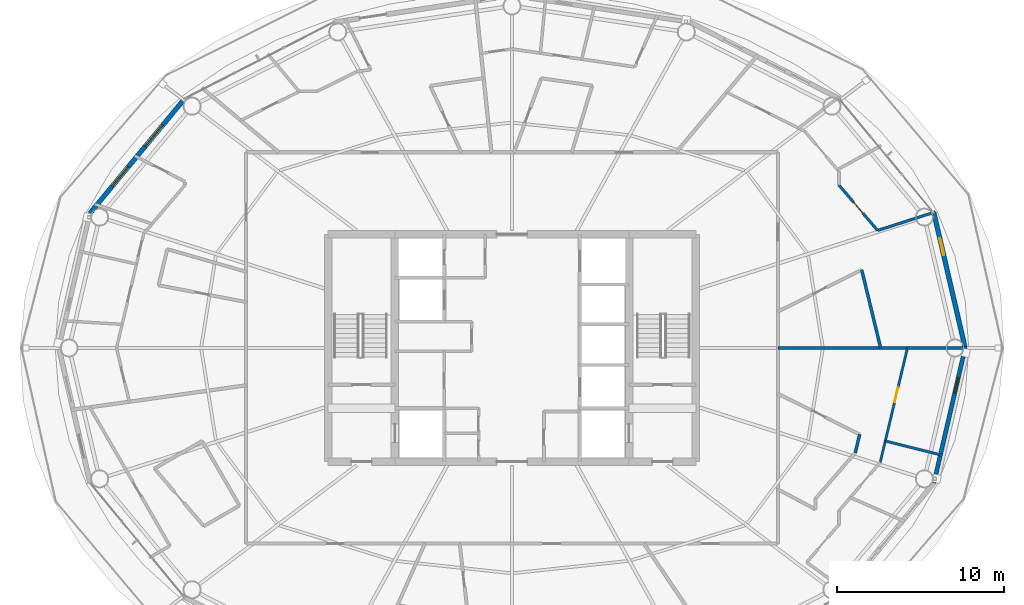
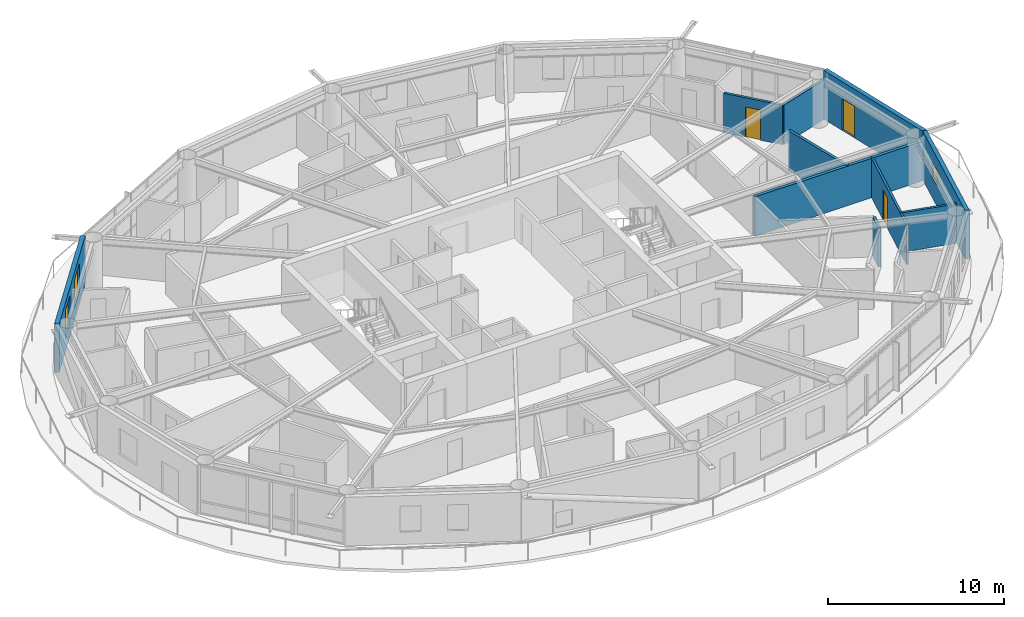
# One storey, part 23 of 28: 11 walls, 3 doors, 3 windows, 6 openings.
"""IFC4 building model written with IfcOpenShell, lengths in metres."""

from ifc_helpers import new_model, si_unit, direction, frame, frame_2d, origin, place, context, subcontext, project, spatial, rectangle, extrude, material, layer, layer_set, type_object, element, fill, save


model = new_model("IFC4")

# Units and contexts
model_context = context("Model", 3, precision=1e-05, world=origin(), true_north=direction((0.0, 1.0)))
body_context = subcontext(model_context, "Body", "Model", "MODEL_VIEW")
ifc_project = project(units=[si_unit("LENGTHUNIT", "METRE"), si_unit("AREAUNIT", "SQUARE_METRE"), si_unit("VOLUMEUNIT", "CUBIC_METRE"), si_unit("PLANEANGLEUNIT", "RADIAN"), si_unit("MASSUNIT", "GRAM", prefix="KILO")], contexts=[model_context])

# Site, building, storey
site_placement = place(None, origin())
site = spatial("IfcSite", under=ifc_project, at=site_placement, CompositionType="ELEMENT")
building_placement = place(site_placement, origin())
building = spatial("IfcBuilding", under=site, at=building_placement, Name="Sarneth Arch Tower", CompositionType="ELEMENT")
storey_placement = place(building_placement, frame((0.0, 0.0, 172.199951171875)))
storey = spatial("IfcBuildingStorey", under=building, at=storey_placement, Name="L43", CompositionType="ELEMENT", Elevation=172.199951171875)

# Wall, opening, window
ifc_material_1 = material(Name="Extruded terracotta rainscreen on Concrete C40/50 backing", Category="masonry")
ifc_layer_1 = layer(ifc_material_1, 0.25)
ifc_layer_set_1 = layer_set([ifc_layer_1], Name="Extruded terracotta rainscreen on Concrete C40/50 backing")
wall_type_1 = type_object("IfcWallType", Name="WALL-EXT-SPAND-250", PredefinedType="SOLIDWALL", material=ifc_layer_set_1)
wall_1_placement = place(storey_placement, frame((73.232421875, 33.93310546875, 0.0), z_axis=(0.0, 0.0, 1.0), x_axis=(0.225473184558, 0.974249374157, 0.0)))
wall_1 = element("IfcWall", 1, at=wall_1_placement, inside=storey, type_object=wall_type_1, Name="L43 Terracotta perimeter wall 16", PredefinedType="SOLIDWALL", context=body_context, shape_type="SweptSolid", body=[
    extrude(rectangle(XDim=8.280029296875, YDim=0.25, at=frame_2d((4.14013671875, 0.0))), origin(), (0.0, 0.0, 1.0), 3.380126953125),
])
opening_1_placement = place(wall_1_placement, frame((5.4814453125, 0.0, 1.419921875)))
opening_1 = element("IfcOpeningElement", 2, at=opening_1_placement, cuts=wall_1, Name="Opening W-14", PredefinedType="OPENING", context=body_context, shape_type="SweptSolid", body=[
    extrude(rectangle(XDim=1.0, YDim=1.050048828125, at=frame_2d((0.5, 0.52490234375))), frame((0.0, 0.135009765625, 0.0), z_axis=(0.0, -1.0, 0.0), x_axis=(1.0, 0.0, 0.0)), (0.0, 0.0, 1.0), 0.27001953125),
])
ifc_material_2 = material(Name="Thermally broken Aluminium 6063-T6 and low-e laminated IGU", Category="aluminium")
window_type_1 = type_object("IfcWindowType", Name="WIN-TWR-1000x1050", PartitioningType="SINGLE_PANEL", PredefinedType="WINDOW", material=ifc_material_2)
window_1_placement = place(opening_1_placement, origin())
window_1 = element("IfcWindow", 3, at=window_1_placement, inside=storey, type_object=window_type_1, Name="L43 Dwelling bedroom window 05", OverallHeight=1.050048828125, OverallWidth=1.0, PartitioningType="SINGLE_PANEL", PredefinedType="WINDOW", context=body_context, shape_type="SweptSolid", body=[
    extrude(rectangle(XDim=1.0, YDim=1.050048828125, at=frame_2d((0.5, 0.52490234375))), frame((0.0, 0.030029296875, 0.0), z_axis=(0.0, -1.0, 0.0), x_axis=(1.0, 0.0, 0.0)), (0.0, 0.0, 1.0), 0.06005859375),
])
fill(opening_1, window_1)

# Wall, opening, door
ifc_material_3 = material(Name="Extruded terracotta rainscreen on Concrete C40/50 backing", Category="masonry")
ifc_layer_2 = layer(ifc_material_3, 0.280029296875)
ifc_layer_set_2 = layer_set([ifc_layer_2], Name="Extruded terracotta rainscreen on Concrete C40/50 backing")
wall_type_2 = type_object("IfcWallType", Name="WALL-EXT-TERRA-280", PredefinedType="SOLIDWALL", material=ifc_layer_set_2)
wall_2_placement = place(storey_placement, frame((75.099365234375, 42.0, 0.0), z_axis=(0.0, 0.0, 1.0), x_axis=(-0.225473184558, 0.974249374157, 0.0)))
wall_2 = element("IfcWall", 4, at=wall_2_placement, inside=storey, type_object=wall_type_2, Name="L43 Terracotta perimeter wall 01", PredefinedType="SOLIDWALL", context=body_context, shape_type="SweptSolid", body=[
    extrude(rectangle(XDim=8.280029296875, YDim=0.280029296875, at=frame_2d((4.14013671875, 0.0))), origin(), (0.0, 0.0, 1.0), 3.380126953125),
])
opening_2_placement = place(wall_2_placement, frame((5.69384765625, 0.0, 0.0)))
opening_2 = element("IfcOpeningElement", 5, at=opening_2_placement, cuts=wall_2, Name="Opening BD-4", PredefinedType="OPENING", context=body_context, shape_type="SweptSolid", body=[
    extrude(rectangle(XDim=1.050048828125, YDim=2.199951171875, at=frame_2d((0.52490234375, 1.10009765625))), frame((0.0, 0.14990234375, 0.0), z_axis=(0.0, -1.0, 0.0), x_axis=(1.0, 0.0, 0.0)), (0.0, 0.0, 1.0), 0.300048828125),
])
ifc_material_4 = material(Name="Thermally broken Aluminium 6063-T6 and laminated safety glass", Category="aluminium")
door_type_1 = type_object("IfcDoorType", Name="DR-BALC-GLZ-1050", OperationType="SINGLE_SWING_RIGHT", PredefinedType="DOOR", material=ifc_material_4)
door_1_placement = place(opening_2_placement, origin())
door_1 = element("IfcDoor", 6, at=door_1_placement, inside=storey, type_object=door_type_1, Name="L43 Balcony glazed door 01", OperationType="SINGLE_SWING_RIGHT", OverallHeight=2.199951171875, OverallWidth=1.050048828125, PredefinedType="DOOR", context=body_context, shape_type="SweptSolid", body=[
    extrude(rectangle(XDim=1.050048828125, YDim=2.199951171875, at=frame_2d((0.52490234375, 1.10009765625))), frame((0.0, 0.02490234375, 0.0), z_axis=(0.0, -1.0, 0.0), x_axis=(1.0, 0.0, 0.0)), (0.0, 0.0, 1.0), 0.050048828125),
])
fill(opening_2, door_1)

# Wall, openings, windows
wall_3_placement = place(storey_placement, frame((28.423828125, 56.90576171875, 0.0), z_axis=(0.0, 0.0, 1.0), x_axis=(-0.637333477683, -0.770588111915, 0.0)))
wall_3 = element("IfcWall", 7, at=wall_3_placement, inside=storey, type_object=wall_type_2, Name="L43 Terracotta perimeter wall 07", PredefinedType="SOLIDWALL", context=body_context, shape_type="SweptSolid", body=[
    extrude(rectangle(XDim=8.874755859375, YDim=0.280029296875, at=frame_2d((4.4375, 0.0))), origin(), (0.0, 0.0, 1.0), 3.380126953125),
])
opening_3_placement = place(wall_3_placement, frame((2.04931640625, 0.0, 0.85009765625)))
opening_3 = element("IfcOpeningElement", 8, at=opening_3_placement, cuts=wall_3, Name="Opening W-05", PredefinedType="OPENING", context=body_context, shape_type="SweptSolid", body=[
    extrude(rectangle(XDim=1.64990234375, YDim=2.0, at=frame_2d((0.824951171875, 1.0))), frame((0.0, 0.14990234375, 0.0), z_axis=(0.0, -1.0, 0.0), x_axis=(1.0, 0.0, 0.0)), (0.0, 0.0, 1.0), 0.300048828125),
])
opening_4_placement = place(wall_3_placement, frame((5.292236328125, 0.0, 0.85009765625)))
opening_4 = element("IfcOpeningElement", 9, at=opening_4_placement, cuts=wall_3, Name="Opening W-06", PredefinedType="OPENING", context=body_context, shape_type="SweptSolid", body=[
    extrude(rectangle(XDim=1.5, YDim=2.0, at=frame_2d((0.75, 1.0))), frame((0.0, 0.14990234375, 0.0), z_axis=(0.0, -1.0, 0.0), x_axis=(1.0, 0.0, 0.0)), (0.0, 0.0, 1.0), 0.300048828125),
])
ifc_material_5 = material(Name="Thermally broken Aluminium 6063-T6 and low-e laminated IGU", Category="aluminium")
window_type_2 = type_object("IfcWindowType", Name="WIN-TWR-1500x2000", PartitioningType="SINGLE_PANEL", PredefinedType="WINDOW", material=ifc_material_5)
window_2_placement = place(opening_4_placement, origin())
window_2 = element("IfcWindow", 10, at=window_2_placement, inside=storey, type_object=window_type_2, Name="L43 Exterior window 07B", OverallHeight=2.0, OverallWidth=1.5, PartitioningType="SINGLE_PANEL", PredefinedType="WINDOW", context=body_context, shape_type="SweptSolid", body=[
    extrude(rectangle(XDim=1.5, YDim=2.0, at=frame_2d((0.75, 1.0))), frame((0.0, 0.030029296875, 0.0), z_axis=(0.0, -1.0, 0.0), x_axis=(1.0, 0.0, 0.0)), (0.0, 0.0, 1.0), 0.06005859375),
])
fill(opening_4, window_2)
ifc_material_6 = material(Name="Thermally broken Aluminium 6063-T6 and low-e laminated IGU", Category="aluminium")
window_type_3 = type_object("IfcWindowType", Name="WIN-TWR-1650x2000", PartitioningType="DOUBLE_PANEL_VERTICAL", PredefinedType="WINDOW", material=ifc_material_6)
window_3_placement = place(opening_3_placement, origin())
window_3 = element("IfcWindow", 11, at=window_3_placement, inside=storey, type_object=window_type_3, Name="L43 Exterior window 07A", OverallHeight=2.0, OverallWidth=1.64990234375, PartitioningType="SINGLE_PANEL", PredefinedType="WINDOW", context=body_context, shape_type="SweptSolid", body=[
    extrude(rectangle(XDim=1.64990234375, YDim=2.0, at=frame_2d((0.824951171875, 1.0))), frame((0.0, 0.030029296875, 0.0), z_axis=(0.0, -1.0, 0.0), x_axis=(1.0, 0.0, 0.0)), (0.0, 0.0, 1.0), 0.06005859375),
])
fill(opening_3, window_3)

# Wall, opening, door
ifc_material_7 = material(Name="Apartment internal stud partition", Category="gypsum")
ifc_layer_3 = layer(ifc_material_7, 0.139892578125)
ifc_layer_set_3 = layer_set([ifc_layer_3], Name="Apartment internal stud partition")
wall_type_3 = type_object("IfcWallType", Name="WALL-PART-140", PredefinedType="PARTITIONING", material=ifc_layer_set_3)
wall_4_placement = place(storey_placement, frame((71.648681640625, 42.0, 0.0), z_axis=(0.0, 0.0, 1.0), x_axis=(-0.231658068135, -0.972797275627, 0.0)))
wall_4 = element("IfcWall", 12, at=wall_4_placement, inside=storey, type_object=wall_type_3, Name="L43 Interior partition W-L43-TP-110", PredefinedType="PARTITIONING", context=body_context, shape_type="SweptSolid", body=[
    extrude(rectangle(XDim=7.03369140625, YDim=0.139892578125, at=frame_2d((3.516845703125, 0.0))), origin(), (0.0, 0.0, 1.0), 2.739990234375),
])
opening_5_placement = place(wall_4_placement, frame((2.4267578125, 0.0, 0.0)))
opening_5 = element("IfcOpeningElement", 13, at=opening_5_placement, cuts=wall_4, Name="Opening ID-01", PredefinedType="OPENING", context=body_context, shape_type="SweptSolid", body=[
    extrude(rectangle(XDim=0.89990234375, YDim=2.10009765625, at=frame_2d((0.449951171875, 1.050048828125))), frame((0.0, 0.079833984375, 0.0), z_axis=(0.0, -1.0, 0.0), x_axis=(1.0, 0.0, 0.0)), (0.0, 0.0, 1.0), 0.159912109375),
])
ifc_material_8 = material(Name="Engineered hardwood flush door", Category="wood")
door_type_2 = type_object("IfcDoorType", Name="DR-INT-900", OperationType="SINGLE_SWING_LEFT", PredefinedType="DOOR", material=ifc_material_8)
door_2_placement = place(opening_5_placement, origin())
door_2 = element("IfcDoor", 14, at=door_2_placement, inside=storey, type_object=door_type_2, Name="L43 Interior door DR-L43-U7-BED2", OperationType="SINGLE_SWING_RIGHT", OverallHeight=2.10009765625, OverallWidth=0.89990234375, PredefinedType="DOOR", context=body_context, shape_type="SweptSolid", body=[
    extrude(rectangle(XDim=0.89990234375, YDim=2.10009765625, at=frame_2d((0.449951171875, 1.050048828125))), frame((0.0, 0.02490234375, 0.0), z_axis=(0.0, -1.0, 0.0), x_axis=(1.0, 0.0, 0.0)), (0.0, 0.0, 1.0), 0.050048828125),
])
fill(opening_5, door_2)

# Walls
ifc_material_9 = material(Name="Acoustic gypsum stud partition", Category="gypsum")
ifc_layer_4 = layer(ifc_material_9, 0.14990234375)
ifc_layer_set_4 = layer_set([ifc_layer_4], Name="Acoustic gypsum stud partition")
wall_type_4 = type_object("IfcWallType", Name="WALL-PART-150", PredefinedType="PARTITIONING", material=ifc_layer_set_4)
wall_5_placement = place(storey_placement, frame((70.323486328125, 36.43408203125, 0.0), z_axis=(0.0, 0.0, 1.0), x_axis=(0.970301483456, -0.241898803642, 0.0)))
element("IfcWall", 15, at=wall_5_placement, inside=storey, type_object=wall_type_4, Name="L43 Interior partition W-L43-TP-112", PredefinedType="PARTITIONING", context=body_context, shape_type="SweptSolid", body=[
    extrude(rectangle(XDim=3.518310546875, YDim=0.14990234375, at=frame_2d((1.75927734375, 0.0))), origin(), (0.0, 0.0, 1.0), 2.739990234375),
])
ifc_material_10 = material(Name="Kitchen wet service chase wall", Category="gypsum")
ifc_layer_5 = layer(ifc_material_10, 0.159912109375)
ifc_layer_set_5 = layer_set([ifc_layer_5], Name="Kitchen wet service chase wall")
wall_type_5 = type_object("IfcWallType", Name="WALL-PLUMB-160", PredefinedType="PLUMBINGWALL", material=ifc_layer_set_5)
wall_6_placement = place(storey_placement, frame((73.318115234375, 50.13818359375, 0.0), z_axis=(0.0, 0.0, 1.0), x_axis=(-0.95200546613, -0.306081022703, 0.0)))
element("IfcWall", 16, at=wall_6_placement, inside=storey, type_object=wall_type_5, Name="L43 Interior partition W-L43-TP-021", PredefinedType="PLUMBINGWALL", context=body_context, shape_type="SweptSolid", body=[
    extrude(rectangle(XDim=3.630126953125, YDim=0.159912109375, at=frame_2d((1.81494140625, 0.0))), origin(), (0.0, 0.0, 1.0), 2.739990234375),
])

# Wall, opening, door
wall_7_placement = place(storey_placement, frame((69.8623046875, 49.027099609375, 0.0), z_axis=(0.0, 0.0, 1.0), x_axis=(-0.648065435441, 0.761584658057, 0.0)))
wall_7 = element("IfcWall", 17, at=wall_7_placement, inside=storey, type_object=wall_type_5, Name="L43 Interior partition W-L43-TP-022", PredefinedType="PLUMBINGWALL", context=body_context, shape_type="SweptSolid", body=[
    extrude(rectangle(XDim=3.56787109375, YDim=0.159912109375, at=frame_2d((1.783935546875, 0.0))), origin(), (0.0, 0.0, 1.0), 2.739990234375),
])
opening_6_placement = place(wall_7_placement, frame((1.333984375, 0.0, 0.0)))
opening_6 = element("IfcOpeningElement", 18, at=opening_6_placement, cuts=wall_7, Name="Opening ID-01", PredefinedType="OPENING", context=body_context, shape_type="SweptSolid", body=[
    extrude(rectangle(XDim=0.89990234375, YDim=2.10009765625, at=frame_2d((0.449951171875, 1.050048828125))), frame((0.0, 0.08984375, 0.0), z_axis=(0.0, -1.0, 0.0), x_axis=(1.0, 0.0, 0.0)), (0.0, 0.0, 1.0), 0.179931640625),
])
door_3_placement = place(opening_6_placement, origin())
door_3 = element("IfcDoor", 19, at=door_3_placement, inside=storey, type_object=door_type_2, Name="L43 Interior door DR-L43-U1-KIT", OperationType="SINGLE_SWING_LEFT", OverallHeight=2.10009765625, OverallWidth=0.89990234375, PredefinedType="DOOR", context=body_context, shape_type="SweptSolid", body=[
    extrude(rectangle(XDim=0.89990234375, YDim=2.10009765625, at=frame_2d((0.449951171875, 1.050048828125))), frame((0.0, 0.02490234375, 0.0), z_axis=(0.0, -1.0, 0.0), x_axis=(1.0, 0.0, 0.0)), (0.0, 0.0, 1.0), 0.050048828125),
])
fill(opening_6, door_3)

# Walls
ifc_material_11 = material(Name="Moisture-resistant plumbing chase wall", Category="gypsum")
ifc_layer_6 = layer(ifc_material_11, 0.179931640625)
ifc_layer_set_6 = layer_set([ifc_layer_6], Name="Moisture-resistant plumbing chase wall")
wall_type_6 = type_object("IfcWallType", Name="WALL-PLUMB-180", PredefinedType="PLUMBINGWALL", material=ifc_layer_set_6)
wall_8_placement = place(storey_placement, frame((68.912353515625, 46.6748046875, 0.0), z_axis=(0.0, 0.0, 1.0), x_axis=(0.235459111302, -0.97188425592, 0.0)))
element("IfcWall", 20, at=wall_8_placement, inside=storey, type_object=wall_type_6, Name="L43 Interior partition W-L43-TP-026", PredefinedType="PLUMBINGWALL", context=body_context, shape_type="SweptSolid", body=[
    extrude(rectangle(XDim=4.81005859375, YDim=0.179931640625, at=frame_2d((2.405029296875, 0.0))), origin(), (0.0, 0.0, 1.0), 2.739990234375),
])
wall_9_placement = place(storey_placement, frame((68.526123046875, 35.731689453125, 0.0), z_axis=(0.0, 0.0, 1.0), x_axis=(0.235606217796, 0.971848604535, 0.0)))
element("IfcWall", 21, at=wall_9_placement, inside=storey, type_object=wall_type_6, Name="L43 Interior partition W-L43-TP-106", PredefinedType="PLUMBINGWALL", context=body_context, shape_type="SweptSolid", body=[
    extrude(rectangle(XDim=1.12841796875, YDim=0.179931640625, at=frame_2d((0.564208984375, 0.0))), origin(), (0.0, 0.0, 1.0), 2.739990234375),
])
ifc_material_12 = material(Name="Double steel-stud acoustic drywall", Category="steel")
ifc_layer_7 = layer(ifc_material_12, 0.199951171875)
ifc_layer_set_7 = layer_set([ifc_layer_7], Name="Double steel-stud acoustic drywall")
wall_type_7 = type_object("IfcWallType", Name="WALL-UNIT-200", PredefinedType="PARTITIONING", material=ifc_layer_set_7)
wall_10_placement = place(storey_placement, frame((63.89990234375, 42.0, 0.0), z_axis=(0.0, 0.0, 1.0), x_axis=(1.0, 0.0, 0.0)))
element("IfcWall", 22, at=wall_10_placement, inside=storey, type_object=wall_type_7, Name="L43 Interior partition W-L43-TP-034", PredefinedType="PARTITIONING", context=body_context, shape_type="SweptSolid", body=[
    extrude(rectangle(XDim=7.748779296875, YDim=0.199951171875, at=frame_2d((3.87451171875, 0.0))), origin(), (0.0, 0.0, 1.0), 2.739990234375),
])
wall_11_placement = place(storey_placement, frame((71.648681640625, 42.0, 0.0), z_axis=(0.0, 0.0, 1.0), x_axis=(1.0, 0.0, 0.0)))
element("IfcWall", 23, at=wall_11_placement, inside=storey, type_object=wall_type_7, Name="L43 Interior partition W-L43-TP-032", PredefinedType="PARTITIONING", context=body_context, shape_type="SweptSolid", body=[
    extrude(rectangle(XDim=3.57080078125, YDim=0.199951171875, at=frame_2d((1.785400390625, 0.0))), origin(), (0.0, 0.0, 1.0), 2.739990234375),
])

save(model, "model.ifc")
